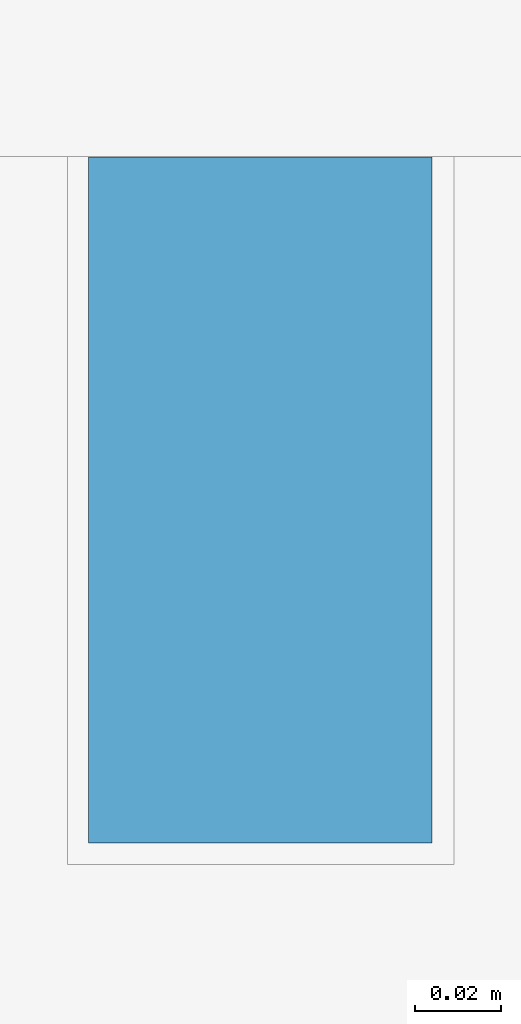
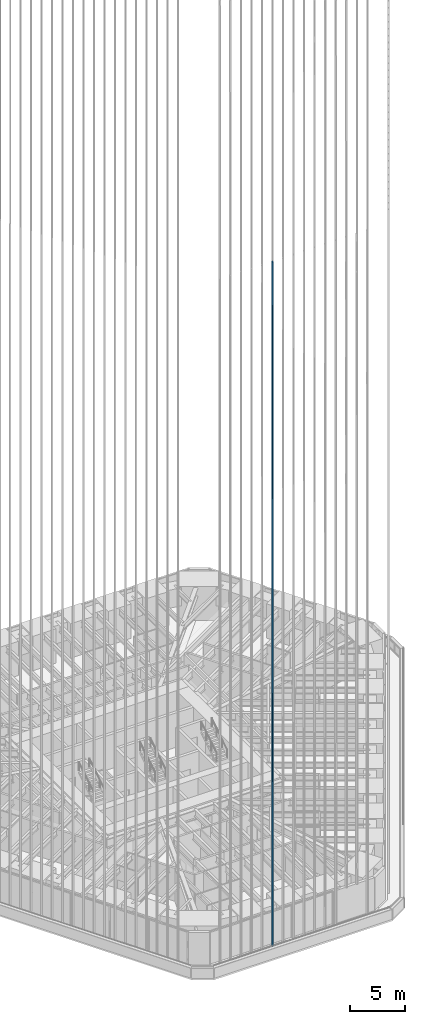
# One storey, part 24 of 238: 1 member, 1 element without a shape of its own.
"""IFC4 building model written with IfcOpenShell, lengths in metres."""

from ifc_helpers import new_model, si_unit, direction, frame, origin, origin_2d, place, context, subcontext, project, spatial, rectangle, extrude, material, material_profile, profile_set, type_object, element, aggregate, save


model = new_model("IFC4")

# Units and contexts
model_context = context("Model", 3, precision=1e-05, world=origin(), true_north=direction((0.0, 1.0)))
body_context = subcontext(model_context, "Body", "Model", "MODEL_VIEW")
ifc_project = project(units=[si_unit("LENGTHUNIT", "METRE"), si_unit("AREAUNIT", "SQUARE_METRE"), si_unit("VOLUMEUNIT", "CUBIC_METRE"), si_unit("PLANEANGLEUNIT", "RADIAN"), si_unit("MASSUNIT", "GRAM", prefix="KILO")], contexts=[model_context])

# Site, building, storey
site_placement = place(None, origin())
site = spatial("IfcSite", under=ifc_project, at=site_placement, CompositionType="ELEMENT")
building_placement = place(site_placement, origin())
building = spatial("IfcBuilding", under=site, at=building_placement, Name="Sandreach Pilgrim Tower", CompositionType="ELEMENT")
storey_placement = place(building_placement, frame((0.0, 0.0, 96.800048828125)))
storey = spatial("IfcBuildingStorey", under=building, at=storey_placement, Name="L23", CompositionType="ELEMENT", Elevation=96.800048828125)

# Curtain wall, member
ifc_material_1 = material(Name="Aluminium framed curtain wall", Category="aluminium")
curtain_wall_type = type_object("IfcCurtainWallType", Name="Hotel tower curtain wall", PredefinedType="NOTDEFINED", material=ifc_material_1)
curtain_wall_placement = place(storey_placement, origin())
curtain_wall = element("IfcCurtainWall", 1, at=curtain_wall_placement, inside=storey, type_object=curtain_wall_type, Name="CW-2 L23 SA", PredefinedType="NOTDEFINED")
ifc_material_2 = material(Name="Extruded terracotta on aluminium core", Category="masonry")
ifc_material_profile = material_profile(ifc_material_2, rectangle(XDim=0.080078125, YDim=0.159912109375, at=origin_2d()), Name="TBS 80X160")
ifc_profile_set = profile_set([ifc_material_profile], Name="Extruded terracotta on aluminium core")
member_type = type_object("IfcMemberType", Name="Terracotta baguette south", PredefinedType="USERDEFINED", material=ifc_profile_set)
member_placement = place(storey_placement, frame((-2.207763671875, -28.572265625, 0.0), z_axis=(0.0, 0.0, 1.0), x_axis=(-1.0, 0.0, 0.0)))
member = element("IfcMember", 2, at=member_placement, type_object=member_type, Name="Baguette Z2 S10", ObjectType="BAGUETTE", PredefinedType="USERDEFINED", context=body_context, shape_type="SweptSolid", body=[
    extrude(rectangle(XDim=0.080078125, YDim=0.159912109375, at=origin_2d()), origin(), (0.0, 0.0, 1.0), 75.83984375),
])
aggregate(curtain_wall, [member])

save(model, "model.ifc")
